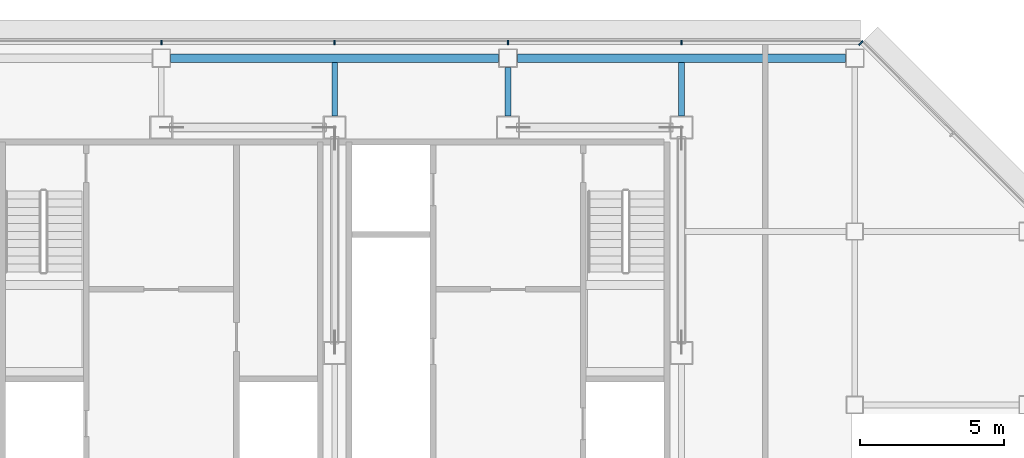
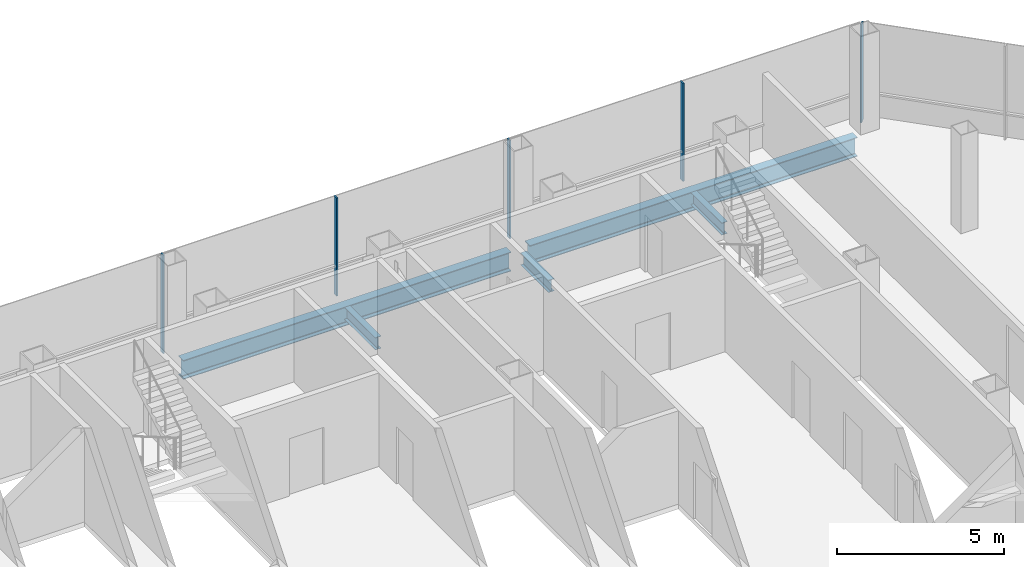
# One storey, part 15 of 26: 5 beams, 5 members, 2 elements without a shape of their own.
"""IFC4 building model written with IfcOpenShell, lengths in metres."""

from ifc_helpers import new_model, si_unit, direction, frame, origin, origin_2d, place, context, subcontext, project, spatial, rectangle, i_section, extrude, material, material_profile, profile_set, type_object, element, aggregate, save


model = new_model("IFC4")

# Units and contexts
model_context = context("Model", 3, precision=1e-05, world=origin(), true_north=direction((0.0, 1.0)))
body_context = subcontext(model_context, "Body", "Model", "MODEL_VIEW")
ifc_project = project(units=[si_unit("LENGTHUNIT", "METRE"), si_unit("AREAUNIT", "SQUARE_METRE"), si_unit("VOLUMEUNIT", "CUBIC_METRE"), si_unit("PLANEANGLEUNIT", "RADIAN"), si_unit("MASSUNIT", "GRAM", prefix="KILO")], contexts=[model_context])

# Site, building, storey
site_placement = place(None, origin())
site = spatial("IfcSite", under=ifc_project, at=site_placement, CompositionType="ELEMENT")
building_placement = place(site_placement, origin())
building = spatial("IfcBuilding", under=site, at=building_placement, Name="Sorahane Residences", CompositionType="ELEMENT")
storey_placement = place(building_placement, frame((0.0, 0.0, 215.39990234375)))
storey = spatial("IfcBuildingStorey", under=building, at=storey_placement, Name="L50", CompositionType="ELEMENT", Elevation=215.39990234375)

# Curtain wall, members
ifc_material_1 = material(Name="Dark low-e glass and black anodised aluminium", Category="aluminium")
curtain_wall_type_1 = type_object("IfcCurtainWallType", Name="Curtain wall CW-1 Typical unitised wall", PredefinedType="NOTDEFINED", material=ifc_material_1)
curtain_wall_1_placement = place(storey_placement, origin())
curtain_wall_1 = element("IfcCurtainWall", 1, at=curtain_wall_1_placement, inside=storey, type_object=curtain_wall_type_1, Name="CW-1 curtain wall L50 N1", PredefinedType="NOTDEFINED")
ifc_material_2 = material(Name="Black anodised aluminium", Category="aluminium")
ifc_material_profile_1 = material_profile(ifc_material_2, rectangle(XDim=0.159912109375, YDim=0.050048828125, at=origin_2d()), Name="Curtain wall mullion CW-1 black anodised aluminium 50x160")
ifc_profile_set_1 = profile_set([ifc_material_profile_1], Name="Black anodised aluminium")
member_type_1 = type_object("IfcMemberType", Name="Curtain wall mullion CW-1 black anodised aluminium 50x160", PredefinedType="MULLION", material=ifc_profile_set_1)
member_1_placement = place(storey_placement, frame((42.0, 48.5400390625, -0.179931640625), z_axis=(0.0, 0.0, 1.0), x_axis=(0.0, 1.0, 0.0)))
member_1 = element("IfcMember", 2, at=member_1_placement, type_object=member_type_1, Name="CW-1 mullion L50 N1.2", PredefinedType="MULLION", context=body_context, shape_type="SweptSolid", body=[
    extrude(rectangle(XDim=0.159912109375, YDim=0.050048828125, at=origin_2d()), origin(), (0.0, 0.0, 1.0), 3.60009765625),
])
member_2_placement = place(storey_placement, frame((36.0, 48.5400390625, -0.179931640625), z_axis=(0.0, 0.0, 1.0), x_axis=(0.0, 1.0, 0.0)))
member_2 = element("IfcMember", 3, at=member_2_placement, type_object=member_type_1, Name="CW-1 mullion L50 N1.3", PredefinedType="MULLION", context=body_context, shape_type="SweptSolid", body=[
    extrude(rectangle(XDim=0.159912109375, YDim=0.050048828125, at=origin_2d()), origin(), (0.0, 0.0, 1.0), 3.60009765625),
])
member_3_placement = place(storey_placement, frame((30.0, 48.5400390625, -0.179931640625), z_axis=(0.0, 0.0, 1.0), x_axis=(0.0, 1.0, 0.0)))
member_3 = element("IfcMember", 4, at=member_3_placement, type_object=member_type_1, Name="CW-1 mullion L50 N1.4", PredefinedType="MULLION", context=body_context, shape_type="SweptSolid", body=[
    extrude(rectangle(XDim=0.159912109375, YDim=0.050048828125, at=origin_2d()), origin(), (0.0, 0.0, 1.0), 3.60009765625),
])
member_4_placement = place(storey_placement, frame((24.0, 48.5400390625, -0.179931640625), z_axis=(0.0, 0.0, 1.0), x_axis=(0.0, 1.0, 0.0)))
member_4 = element("IfcMember", 5, at=member_4_placement, type_object=member_type_1, Name="CW-1 mullion L50 N1.5", PredefinedType="MULLION", context=body_context, shape_type="SweptSolid", body=[
    extrude(rectangle(XDim=0.159912109375, YDim=0.050048828125, at=origin_2d()), origin(), (0.0, 0.0, 1.0), 3.60009765625),
])
aggregate(curtain_wall_1, [member_1, member_2, member_3, member_4])

# Curtain wall, member
ifc_material_3 = material(Name="Dark low-e glass and black anodised aluminium", Category="aluminium")
curtain_wall_type_2 = type_object("IfcCurtainWallType", Name="Curtain wall CW-2 Chamfer unitised wall", PredefinedType="NOTDEFINED", material=ifc_material_3)
curtain_wall_2_placement = place(storey_placement, origin())
curtain_wall_2 = element("IfcCurtainWall", 6, at=curtain_wall_2_placement, inside=storey, type_object=curtain_wall_type_2, Name="CW-2 curtain wall L50 NE1", PredefinedType="NOTDEFINED")
ifc_material_4 = material(Name="Black anodised aluminium", Category="aluminium")
ifc_material_profile_2 = material_profile(ifc_material_4, rectangle(XDim=0.199951171875, YDim=0.050048828125, at=origin_2d()), Name="Curtain wall mullion CW-2 black anodised aluminium 50x200")
ifc_profile_set_2 = profile_set([ifc_material_profile_2], Name="Black anodised aluminium")
member_type_2 = type_object("IfcMemberType", Name="Curtain wall mullion CW-2 black anodised aluminium 50x200", PredefinedType="MULLION", material=ifc_profile_set_2)
member_5_placement = place(storey_placement, frame((48.209716796875, 48.525634765625, -0.179931640625), z_axis=(0.0, 0.0, 1.0), x_axis=(0.707106781187, 0.707106781187, 0.0)))
member_5 = element("IfcMember", 7, at=member_5_placement, type_object=member_type_2, Name="CW-2 mullion L50 NE1.3", PredefinedType="MULLION", context=body_context, shape_type="SweptSolid", body=[
    extrude(rectangle(XDim=0.199951171875, YDim=0.050048828125, at=origin_2d()), origin(), (0.0, 0.0, 1.0), 3.60009765625),
])
aggregate(curtain_wall_2, [member_5])

# Beams
ifc_material_5 = material(Name="Steel Q355B", Category="steel")
ifc_material_profile_3 = material_profile(ifc_material_5, i_section(OverallWidth=0.199951171875, OverallDepth=0.449951171875, WebThickness=0.009033203125, FlangeThickness=0.013916015625, FilletRadius=0.02001953125, at=origin_2d()), Name="HN 450x200x9x14")
ifc_profile_set_3 = profile_set([ifc_material_profile_3], Name="Steel Q355B")
beam_type_1 = type_object("IfcBeamType", Name="Steel floor beam HN 450x200x9x14 Q355B", PredefinedType="BEAM", material=ifc_profile_set_3)
beam_1_placement = place(storey_placement, frame((30.0, 46.0, -0.40478515625), z_axis=(0.0, 1.0, 0.0), x_axis=(-1.0, 0.0, 0.0)))
element("IfcBeam", 8, at=beam_1_placement, inside=storey, type_object=beam_type_1, Name="Beam L50 049", PredefinedType="BEAM", context=body_context, shape_type="SweptSolid", body=[
    extrude(i_section(OverallWidth=0.199951171875, OverallDepth=0.449951171875, WebThickness=0.009033203125, FlangeThickness=0.013916015625, FilletRadius=0.02001953125, at=origin_2d()), origin(), (0.0, 0.0, 1.0), 1.85009765625),
])
beam_2_placement = place(storey_placement, frame((36.0, 46.0, -0.40478515625), z_axis=(0.0, 1.0, 0.0), x_axis=(-1.0, 0.0, 0.0)))
element("IfcBeam", 9, at=beam_2_placement, inside=storey, type_object=beam_type_1, Name="Beam L50 051", PredefinedType="BEAM", context=body_context, shape_type="SweptSolid", body=[
    extrude(i_section(OverallWidth=0.199951171875, OverallDepth=0.449951171875, WebThickness=0.009033203125, FlangeThickness=0.013916015625, FilletRadius=0.02001953125, at=origin_2d()), origin(), (0.0, 0.0, 1.0), 1.675048828125),
])
beam_3_placement = place(storey_placement, frame((42.0, 46.0, -0.40478515625), z_axis=(0.0, 1.0, 0.0), x_axis=(-1.0, 0.0, 0.0)))
element("IfcBeam", 10, at=beam_3_placement, inside=storey, type_object=beam_type_1, Name="Beam L50 057", PredefinedType="BEAM", context=body_context, shape_type="SweptSolid", body=[
    extrude(i_section(OverallWidth=0.199951171875, OverallDepth=0.449951171875, WebThickness=0.009033203125, FlangeThickness=0.013916015625, FilletRadius=0.02001953125, at=origin_2d()), origin(), (0.0, 0.0, 1.0), 1.85009765625),
])
ifc_material_6 = material(Name="Steel Q355B", Category="steel")
ifc_material_profile_4 = material_profile(ifc_material_6, i_section(OverallWidth=0.300048828125, OverallDepth=0.699951171875, WebThickness=0.012939453125, FlangeThickness=0.02392578125, FilletRadius=0.028076171875, at=origin_2d()), Name="HN 700x300x13x24")
ifc_profile_set_4 = profile_set([ifc_material_profile_4], Name="Steel Q355B")
beam_type_2 = type_object("IfcBeamType", Name="Steel floor beam HN 700x300x13x24 Q355B", PredefinedType="BEAM", material=ifc_profile_set_4)
for number, where, z_axis, x_axis, name in (
    (11, (24.324951171875, 48.0, -0.52978515625), (1.0, 0.0, 0.0), (0.0, 1.0, 0.0), "Beam L50 018"),
    (12, (36.324951171875, 48.0, -0.52978515625), (1.0, 0.0, 0.0), (0.0, 1.0, 0.0), "Beam L50 019"),
):
    element("IfcBeam", number, at=place(storey_placement, frame(where, z_axis=z_axis, x_axis=x_axis)), inside=storey, type_object=beam_type_2, Name=name, PredefinedType="BEAM", context=body_context, shape_type="SweptSolid", body=[
        extrude(i_section(OverallWidth=0.300048828125, OverallDepth=0.699951171875, WebThickness=0.012939453125, FlangeThickness=0.02392578125, FilletRadius=0.028076171875, at=origin_2d()), origin(), (0.0, 0.0, 1.0), 11.35009765625),
    ])

save(model, "model.ifc")
